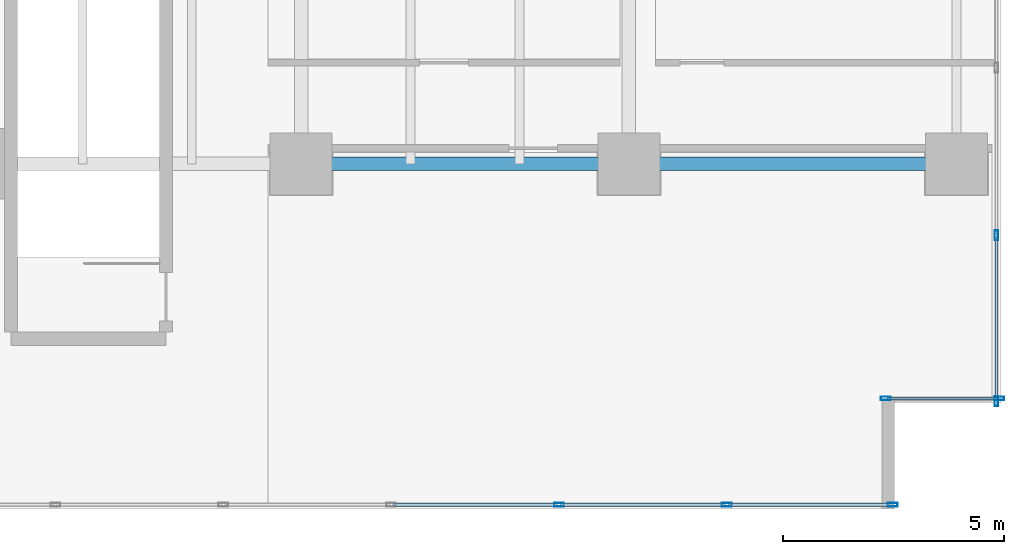
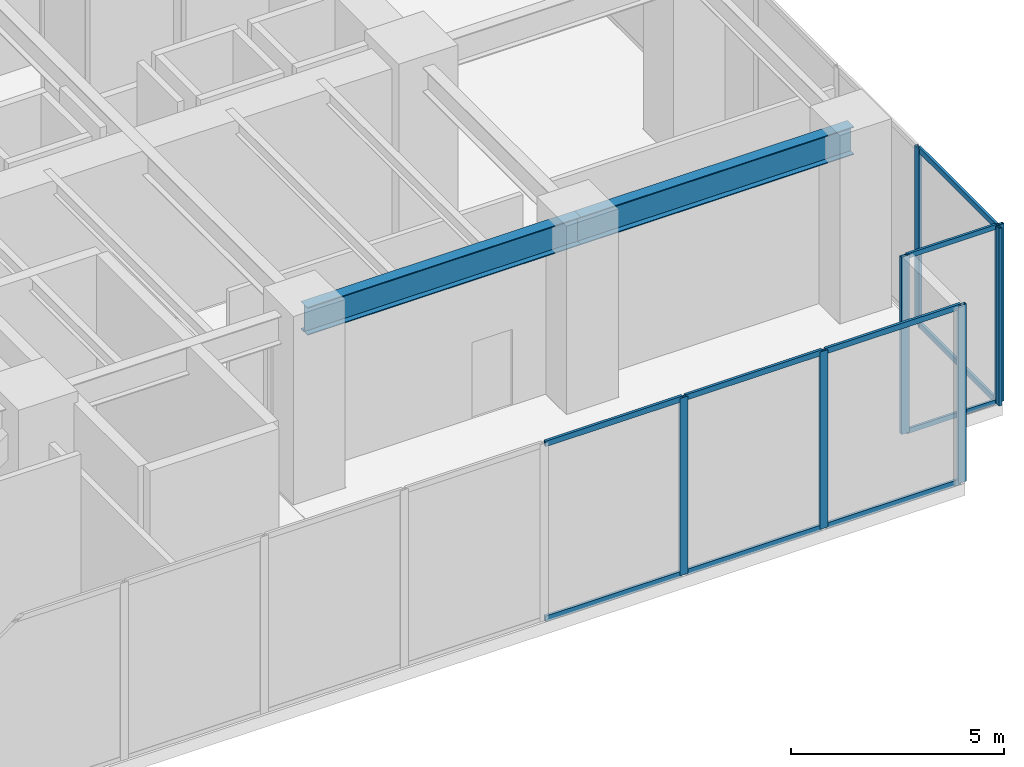
# One storey, part 19 of 35: 17 members, 2 beams, 3 elements without a shape of their own.
"""IFC4 building model written with IfcOpenShell, lengths in metres."""

from ifc_helpers import new_model, si_unit, direction, frame, origin, origin_2d, place, context, subcontext, project, spatial, hollow_rectangle, i_section, extrude, source, transform, mapped, material, layer, layer_set, material_profile, profile_set, type_object, type_shapes, element, aggregate, save


model = new_model("IFC4")

# Units and contexts
model_context = context("Model", 3, precision=1e-05, world=origin(), true_north=direction((0.0, 1.0)))
body_context = subcontext(model_context, "Body", "Model", "MODEL_VIEW")
ifc_project = project(units=[si_unit("LENGTHUNIT", "METRE"), si_unit("AREAUNIT", "SQUARE_METRE"), si_unit("VOLUMEUNIT", "CUBIC_METRE"), si_unit("PLANEANGLEUNIT", "RADIAN"), si_unit("MASSUNIT", "GRAM", prefix="KILO")], contexts=[model_context])

# Site, building, storey
site_placement = place(None, origin())
site = spatial("IfcSite", under=ifc_project, at=site_placement, CompositionType="ELEMENT")
building_placement = place(site_placement, origin())
building = spatial("IfcBuilding", under=site, at=building_placement, Name="Haelvirn Gate Laboratories", CompositionType="ELEMENT")
storey_placement = place(building_placement, frame((0.0, 0.0, 19.800048828125)))
storey = spatial("IfcBuildingStorey", under=building, at=storey_placement, Name="L05", CompositionType="ELEMENT", Elevation=19.800048828125)

# Beams
ifc_material_1 = material(Name="Steel SM420", Category="steel")
ifc_material_profile_1 = material_profile(ifc_material_1, i_section(OverallWidth=0.300048828125, OverallDepth=0.800048828125, WebThickness=0.013916015625, FlangeThickness=0.02587890625, at=origin_2d()), Name="H-800x300x14x26")
ifc_profile_set_1 = profile_set([ifc_material_profile_1], Name="Steel SM420")
beam_type = type_object("IfcBeamType", Name="BM-G-800", PredefinedType="BEAM", material=ifc_profile_set_1)
shared_shape_1 = source(origin(), body_context, "Body", "SweptSolid", [
    extrude(i_section(OverallWidth=0.300048828125, OverallDepth=0.800048828125, WebThickness=0.013916015625, FlangeThickness=0.02587890625, at=origin_2d()), origin(), (0.0, 0.0, 1.0), 7.400146484375),
])
beam_1_placement = place(storey_placement, frame((67.39990234375, 7.0, 4.679931640625), z_axis=(1.0, 0.0, 0.0), x_axis=(0.0, 1.0, 0.0)))
element("IfcBeam", 1, at=beam_1_placement, inside=storey, type_object=beam_type, Name="L05 Primary Girder Y7.0 (67.4-74.8)", PredefinedType="BEAM", context=body_context, shape_type="MappedRepresentation", body=[
    mapped(shared_shape_1, transform((0.0, 0.0, 0.0), scale=1.0)),
])
shared_shape_2 = source(origin(), body_context, "Body", "SweptSolid", [
    extrude(i_section(OverallWidth=0.300048828125, OverallDepth=0.800048828125, WebThickness=0.013916015625, FlangeThickness=0.02587890625, at=origin_2d()), origin(), (0.0, 0.0, 1.0), 7.39990234375),
])
type_shapes(beam_type, [shared_shape_1, shared_shape_2])
beam_2_placement = place(storey_placement, frame((60.0, 7.0, 4.679931640625), z_axis=(1.0, 0.0, 0.0), x_axis=(0.0, 1.0, 0.0)))
element("IfcBeam", 2, at=beam_2_placement, inside=storey, type_object=beam_type, Name="L05 Primary Girder Y7.0 (60.0-67.4)", PredefinedType="BEAM", context=body_context, shape_type="MappedRepresentation", body=[
    mapped(shared_shape_2, transform((0.0, 0.0, 0.0), scale=1.0)),
])

# Curtain wall, members
ifc_material_2 = material(Name="Anodised bronze unitised aluminium & triple low-E glass", Category="aluminium")
ifc_layer_1 = layer(ifc_material_2, 0.181884765625, Name="CW-SYS-5")
ifc_layer_set_1 = layer_set([ifc_layer_1], Name="Anodised bronze unitised aluminium & triple low-E glass")
curtain_wall_type_1 = type_object("IfcCurtainWallType", Name="CW-SYS-5", PredefinedType="NOTDEFINED", material=ifc_layer_set_1)
curtain_wall_1_placement = place(storey_placement, origin())
curtain_wall_1 = element("IfcCurtainWall", 3, at=curtain_wall_1_placement, inside=storey, type_object=curtain_wall_type_1, Name="L05 Unitised Curtain Wall CW-L05-P0-E02-1", PredefinedType="NOTDEFINED")
ifc_material_3 = material(Name="Extruded aluminium 6063-T6 (anodised bronze)", Category="aluminium")
ifc_material_profile_2 = material_profile(ifc_material_3, hollow_rectangle(XDim=0.06494140625, YDim=0.139892578125, WallThickness=0.00390625, at=origin_2d()), Name="CWT-140x65x4")
ifc_profile_set_2 = profile_set([ifc_material_profile_2], Name="Extruded aluminium 6063-T6 (anodised bronze)")
member_type_1 = type_object("IfcMemberType", Name="CWT-T140", PredefinedType="USERDEFINED", material=ifc_profile_set_2)
shared_shape_3 = source(origin(), body_context, "Body", "SweptSolid", [
    extrude(hollow_rectangle(XDim=0.06494140625, YDim=0.139892578125, WallThickness=0.00390625, at=origin_2d()), origin(), (0.0, 0.0, 1.0), 2.47998046875),
])
type_shapes(member_type_1, [shared_shape_3])
member_1_placement = place(storey_placement, frame((73.239990234375, 1.699951171875, 0.032470703125), z_axis=(1.0, 0.0, 0.0), x_axis=(0.0, 1.0, 0.0)))
member_1 = element("IfcMember", 4, at=member_1_placement, type_object=member_type_1, Name="CW5 transom 1.1", ObjectType="TRANSOM", PredefinedType="USERDEFINED", context=body_context, shape_type="MappedRepresentation", body=[
    mapped(shared_shape_3, transform((0.0, 0.0, 0.0), scale=1.0)),
])
member_2_placement = place(storey_placement, frame((73.239990234375, 1.699951171875, 5.04736328125), z_axis=(1.0, 0.0, 0.0), x_axis=(0.0, 1.0, 0.0)))
member_2 = element("IfcMember", 5, at=member_2_placement, type_object=member_type_1, Name="CW5 transom 1.2", ObjectType="TRANSOM", PredefinedType="USERDEFINED", context=body_context, shape_type="MappedRepresentation", body=[
    mapped(shared_shape_3, transform((0.0, 0.0, 0.0), scale=1.0)),
])

ifc_layer_2 = layer(ifc_material_2, 0.18798828125, Name="CW-SYS-1")
ifc_layer_set_2 = layer_set([ifc_layer_2], Name="Anodised bronze unitised aluminium & triple low-E glass")
curtain_wall_type_2 = type_object("IfcCurtainWallType", Name="CW-SYS-1", PredefinedType="NOTDEFINED", material=ifc_layer_set_2)
curtain_wall_2_placement = place(storey_placement, origin())
curtain_wall_2 = element("IfcCurtainWall", 6, at=curtain_wall_2_placement, inside=storey, type_object=curtain_wall_type_2, Name="L05 Unitised Curtain Wall CW-L05-P0-E03", PredefinedType="NOTDEFINED")
ifc_material_profile_3 = material_profile(ifc_material_3, hollow_rectangle(XDim=0.070068359375, YDim=0.159912109375, WallThickness=0.0048828125, at=origin_2d()), Name="CWT-160x70x5")
ifc_profile_set_3 = profile_set([ifc_material_profile_3], Name="Extruded aluminium 6063-T6 (anodised bronze)")
member_type_2 = type_object("IfcMemberType", Name="CWT-T160", PredefinedType="USERDEFINED", material=ifc_profile_set_3)
shared_shape_4 = source(origin(), body_context, "Body", "SweptSolid", [
    extrude(hollow_rectangle(XDim=0.070068359375, YDim=0.159912109375, WallThickness=0.0048828125, at=origin_2d()), origin(), (0.0, 0.0, 1.0), 3.663330078125),
])
member_3_placement = place(storey_placement, frame((75.699951171875, 1.679931640625, 0.034912109375), z_axis=(0.0, 1.0, 0.0), x_axis=(-1.0, 0.0, 0.0)))
member_3 = element("IfcMember", 7, at=member_3_placement, type_object=member_type_2, Name="CW1 transom 1.1", ObjectType="TRANSOM", PredefinedType="USERDEFINED", context=body_context, shape_type="MappedRepresentation", body=[
    mapped(shared_shape_4, transform((0.0, 0.0, 0.0), scale=1.0)),
])
member_4_placement = place(storey_placement, frame((75.699951171875, 1.679931640625, 5.044921875), z_axis=(0.0, 1.0, 0.0), x_axis=(-1.0, 0.0, 0.0)))
member_4 = element("IfcMember", 8, at=member_4_placement, type_object=member_type_2, Name="CW1 transom 1.2", ObjectType="TRANSOM", PredefinedType="USERDEFINED", context=body_context, shape_type="MappedRepresentation", body=[
    mapped(shared_shape_4, transform((0.0, 0.0, 0.0), scale=1.0)),
])

curtain_wall_3_placement = place(storey_placement, origin())
curtain_wall_3 = element("IfcCurtainWall", 9, at=curtain_wall_3_placement, inside=storey, type_object=curtain_wall_type_2, Name="L05 Unitised Curtain Wall CW-L05-P0-E00-1", PredefinedType="NOTDEFINED")
ifc_material_profile_4 = material_profile(ifc_material_3, hollow_rectangle(XDim=0.080078125, YDim=0.219970703125, WallThickness=0.006103515625, at=origin_2d()), Name="CWM-220x80x6")
ifc_profile_set_4 = profile_set([ifc_material_profile_4], Name="Extruded aluminium 6063-T6 (anodised bronze)")
member_type_3 = type_object("IfcMemberType", Name="CWM-T220", PredefinedType="MULLION", material=ifc_profile_set_4)
shared_shape_5 = source(origin(), body_context, "Body", "SweptSolid", [
    extrude(hollow_rectangle(XDim=0.080078125, YDim=0.219970703125, WallThickness=0.006103515625, at=origin_2d()), origin(), (0.0, 0.0, 1.0), 5.079833984375),
])
type_shapes(member_type_3, [shared_shape_5])
member_5_placement = place(storey_placement, frame((65.821044921875, -0.699951171875, 0.0), z_axis=(0.0, 0.0, 1.0), x_axis=(0.0, 1.0, 0.0)))
member_5 = element("IfcMember", 10, at=member_5_placement, type_object=member_type_3, Name="CW1 mullion 18", PredefinedType="MULLION", context=body_context, shape_type="MappedRepresentation", body=[
    mapped(shared_shape_5, transform((0.0, 0.0, 0.0), scale=1.0)),
])
member_6_placement = place(storey_placement, frame((69.610595703125, -0.699951171875, 0.0), z_axis=(0.0, 0.0, 1.0), x_axis=(0.0, 1.0, 0.0)))
member_6 = element("IfcMember", 11, at=member_6_placement, type_object=member_type_3, Name="CW1 mullion 19", PredefinedType="MULLION", context=body_context, shape_type="MappedRepresentation", body=[
    mapped(shared_shape_5, transform((0.0, 0.0, 0.0), scale=1.0)),
])
member_7_placement = place(storey_placement, frame((73.360107421875, -0.699951171875, 0.0), z_axis=(0.0, 0.0, 1.0), x_axis=(0.0, 1.0, 0.0)))
member_7 = element("IfcMember", 12, at=member_7_placement, type_object=member_type_3, Name="CW1 mullion 20", PredefinedType="MULLION", context=body_context, shape_type="MappedRepresentation", body=[
    mapped(shared_shape_5, transform((0.0, 0.0, 0.0), scale=1.0)),
])

# Member
member_8_placement = place(storey_placement, frame((73.199951171875, 1.699951171875, 0.0), z_axis=(0.0, 0.0, 1.0), x_axis=(0.0, 1.0, 0.0)))
member_8 = element("IfcMember", 13, at=member_8_placement, type_object=member_type_3, Name="CW5 mullion 1", PredefinedType="MULLION", context=body_context, shape_type="MappedRepresentation", body=[
    mapped(shared_shape_5, transform((0.0, 0.0, 0.0), scale=1.0)),
])

member_9_placement = place(storey_placement, frame((75.760009765625, 1.699951171875, 0.0), z_axis=(0.0, 0.0, 1.0), x_axis=(0.0, 1.0, 0.0)))
member_9 = element("IfcMember", 14, at=member_9_placement, type_object=member_type_3, Name="CW5 mullion 2", PredefinedType="MULLION", context=body_context, shape_type="MappedRepresentation", body=[
    mapped(shared_shape_5, transform((0.0, 0.0, 0.0), scale=1.0)),
])

aggregate(curtain_wall_1, [member_8, member_9, member_1, member_2])

member_10_placement = place(storey_placement, frame((75.699951171875, 1.639892578125, 0.0), z_axis=(0.0, 0.0, 1.0), x_axis=(-1.0, 0.0, 0.0)))
member_10 = element("IfcMember", 15, at=member_10_placement, type_object=member_type_3, Name="CW1 mullion 1", PredefinedType="MULLION", context=body_context, shape_type="MappedRepresentation", body=[
    mapped(shared_shape_5, transform((0.0, 0.0, 0.0), scale=1.0)),
])

member_11_placement = place(storey_placement, frame((75.699951171875, 5.38330078125, 0.0), z_axis=(0.0, 0.0, 1.0), x_axis=(-1.0, 0.0, 0.0)))
member_11 = element("IfcMember", 16, at=member_11_placement, type_object=member_type_3, Name="CW1 mullion 2", PredefinedType="MULLION", context=body_context, shape_type="MappedRepresentation", body=[
    mapped(shared_shape_5, transform((0.0, 0.0, 0.0), scale=1.0)),
])

aggregate(curtain_wall_2, [member_10, member_11, member_3, member_4])

shared_shape_6 = source(origin(), body_context, "Body", "SweptSolid", [
    extrude(hollow_rectangle(XDim=0.070068359375, YDim=0.159912109375, WallThickness=0.0048828125, at=origin_2d()), origin(), (0.0, 0.0, 1.0), 3.66943359375),
])
member_12_placement = place(storey_placement, frame((69.650634765625, -0.699951171875, 0.034912109375), z_axis=(1.0, 0.0, 0.0), x_axis=(0.0, 1.0, 0.0)))
member_12 = element("IfcMember", 17, at=member_12_placement, type_object=member_type_2, Name="CW1 transom 19.1", ObjectType="TRANSOM", PredefinedType="USERDEFINED", context=body_context, shape_type="MappedRepresentation", body=[
    mapped(shared_shape_6, transform((0.0, 0.0, 0.0), scale=1.0)),
])

member_13_placement = place(storey_placement, frame((69.650634765625, -0.699951171875, 5.044921875), z_axis=(1.0, 0.0, 0.0), x_axis=(0.0, 1.0, 0.0)))
member_13 = element("IfcMember", 18, at=member_13_placement, type_object=member_type_2, Name="CW1 transom 19.2", ObjectType="TRANSOM", PredefinedType="USERDEFINED", context=body_context, shape_type="MappedRepresentation", body=[
    mapped(shared_shape_6, transform((0.0, 0.0, 0.0), scale=1.0)),
])

shared_shape_7 = source(origin(), body_context, "Body", "SweptSolid", [
    extrude(hollow_rectangle(XDim=0.070068359375, YDim=0.159912109375, WallThickness=0.0048828125, at=origin_2d()), origin(), (0.0, 0.0, 1.0), 3.70947265625),
])
type_shapes(member_type_2, [shared_shape_4, shared_shape_6, shared_shape_7])
member_14_placement = place(storey_placement, frame((62.071533203125, -0.699951171875, 0.034912109375), z_axis=(1.0, 0.0, 0.0), x_axis=(0.0, 1.0, 0.0)))
member_14 = element("IfcMember", 19, at=member_14_placement, type_object=member_type_2, Name="CW1 transom 17.1", ObjectType="TRANSOM", PredefinedType="USERDEFINED", context=body_context, shape_type="MappedRepresentation", body=[
    mapped(shared_shape_7, transform((0.0, 0.0, 0.0), scale=1.0)),
])

member_15_placement = place(storey_placement, frame((62.071533203125, -0.699951171875, 5.044921875), z_axis=(1.0, 0.0, 0.0), x_axis=(0.0, 1.0, 0.0)))
member_15 = element("IfcMember", 20, at=member_15_placement, type_object=member_type_2, Name="CW1 transom 17.2", ObjectType="TRANSOM", PredefinedType="USERDEFINED", context=body_context, shape_type="MappedRepresentation", body=[
    mapped(shared_shape_7, transform((0.0, 0.0, 0.0), scale=1.0)),
])

member_16_placement = place(storey_placement, frame((65.861083984375, -0.699951171875, 0.034912109375), z_axis=(1.0, 0.0, 0.0), x_axis=(0.0, 1.0, 0.0)))
member_16 = element("IfcMember", 21, at=member_16_placement, type_object=member_type_2, Name="CW1 transom 18.1", ObjectType="TRANSOM", PredefinedType="USERDEFINED", context=body_context, shape_type="MappedRepresentation", body=[
    mapped(shared_shape_7, transform((0.0, 0.0, 0.0), scale=1.0)),
])

member_17_placement = place(storey_placement, frame((65.861083984375, -0.699951171875, 5.044921875), z_axis=(1.0, 0.0, 0.0), x_axis=(0.0, 1.0, 0.0)))
member_17 = element("IfcMember", 22, at=member_17_placement, type_object=member_type_2, Name="CW1 transom 18.2", ObjectType="TRANSOM", PredefinedType="USERDEFINED", context=body_context, shape_type="MappedRepresentation", body=[
    mapped(shared_shape_7, transform((0.0, 0.0, 0.0), scale=1.0)),
])

aggregate(curtain_wall_3, [member_5, member_6, member_7, member_14, member_15, member_16, member_17, member_12, member_13])

save(model, "model.ifc")
